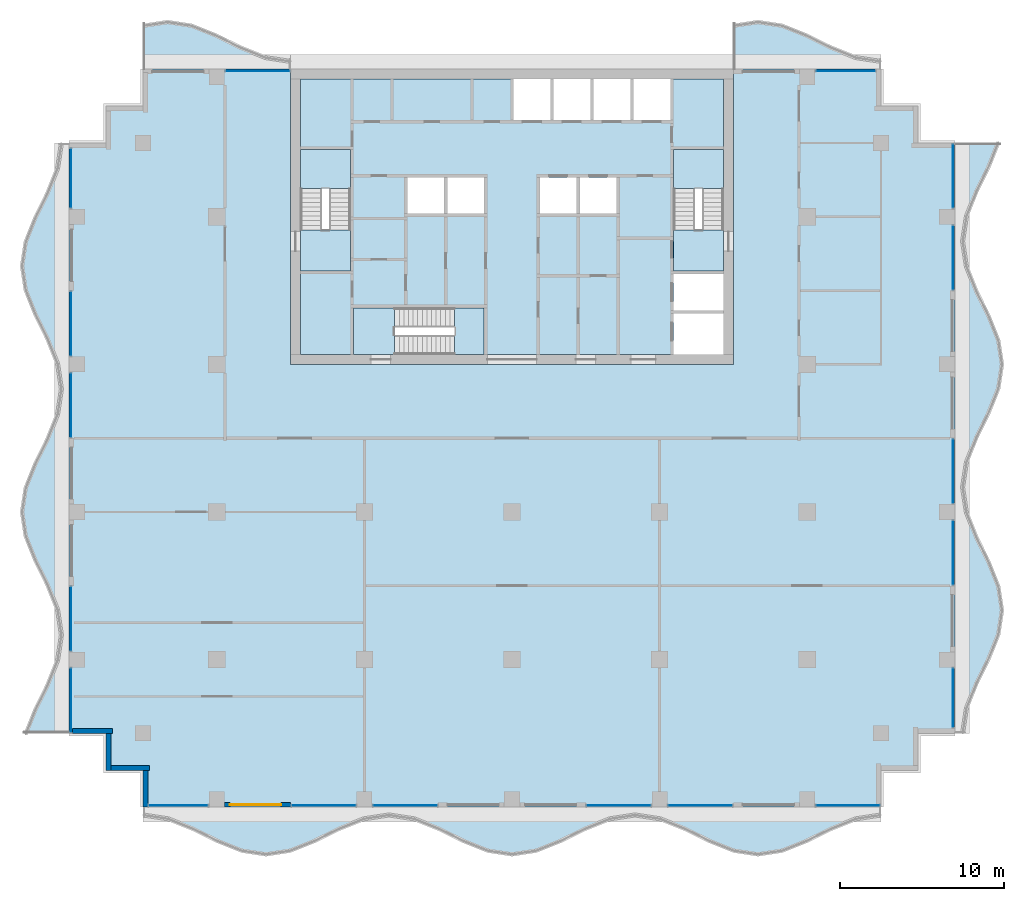
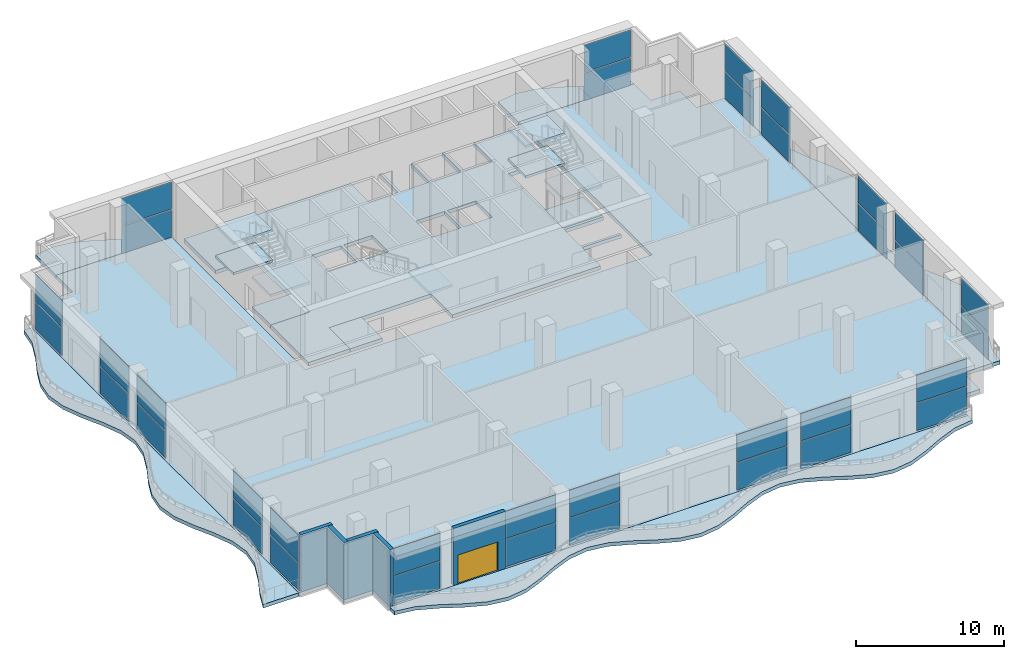
# One storey, part 6 of 15: 36 plates, 17 slabs, 5 walls, 1 door, 1 opening, 21 elements without a shape of their own.
"""IFC4 building model written with IfcOpenShell, lengths in metres."""

import ifcopenshell
import ifcopenshell.guid

model = None  # the IFC model being written
_history = None  # IfcOwnerHistory: only IFC2X3 demands one
_inside = {}  # id of a spatial element -> (the spatial element, [elements in it])
_under = {}  # id of a project, library or spatial element -> (it, [spatial elements below it])
_declared = {}  # id of a project -> (the project, [libraries it declares])
_typed = {}  # id of a type object -> (the type object, [elements of that type])
_made_of = {}  # id of a material, layer set ... -> (it, [elements and type objects made of it])


def new_model(schema):
    """Start an empty IFC model of exactly this schema.

    Asked for "IFC4X3", IfcOpenShell would pick the latest addendum, in which some entities
    have other attributes; the version numbers below select the first issue.
    IFC2X3 requires an IfcOwnerHistory on every rooted entity: one is made here for all.
    """
    global model, _history
    if schema == "IFC4X3":
        model = ifcopenshell.file(schema_version=(4, 3, 0, 0))
    else:
        model = ifcopenshell.file(schema=schema)
    _inside.clear()
    _under.clear()
    _declared.clear()
    _typed.clear()
    _made_of.clear()
    _history = None
    if model.schema == "IFC2X3":
        org = make("IfcOrganization", Name="unknown")
        user = make(
            "IfcPersonAndOrganization",
            ThePerson=make("IfcPerson", FamilyName="unknown"),
            TheOrganization=org,
        )
        app = make(
            "IfcApplication",
            ApplicationDeveloper=org,
            Version="unknown",
            ApplicationFullName="unknown",
            ApplicationIdentifier="unknown",
        )
        _history = make(
            "IfcOwnerHistory",
            OwningUser=user,
            OwningApplication=app,
            ChangeAction="ADDED",
            CreationDate=0,
        )
    return model


def make(cls, **values):
    """One entity of the class cls with the attributes given. An attribute that is None is left unset."""
    return model.create_entity(
        cls, **{name: value for name, value in values.items() if value is not None}
    )


def rooted(cls, **values):
    """An entity with a GlobalId (a new one), such as an element, a storey or a relation."""
    return make(cls, GlobalId=ifcopenshell.guid.new(), OwnerHistory=_history, **values)


def si_unit(unit_type, name, prefix=None):
    """IfcSIUnit, for example si_unit("LENGTHUNIT", "METRE", prefix="MILLI")."""
    return make("IfcSIUnit", UnitType=unit_type, Prefix=prefix, Name=name)


def assignment(units):
    """IfcUnitAssignment: the units of a project."""
    return None if units is None else make("IfcUnitAssignment", Units=units)


def point(xyz):
    """IfcCartesianPoint."""
    return None if xyz is None else make("IfcCartesianPoint", Coordinates=xyz)


def direction(xyz):
    """IfcDirection."""
    return None if xyz is None else make("IfcDirection", DirectionRatios=xyz)


def frame(location, z_axis=None, x_axis=None):
    """IfcAxis2Placement3D, a coordinate frame: its origin and axes. An axis left out is left unset."""
    return make(
        "IfcAxis2Placement3D",
        Location=point(location),
        Axis=direction(z_axis),
        RefDirection=direction(x_axis),
    )


def frame_2d(location, x_axis=None):
    """IfcAxis2Placement2D, a coordinate frame in the plane: its origin and x axis."""
    return make(
        "IfcAxis2Placement2D", Location=point(location), RefDirection=direction(x_axis)
    )


def origin():
    """The frame at (0, 0, 0) with its axes left unset."""
    return frame((0.0, 0.0, 0.0))


def origin_2d():
    """The frame at (0, 0) in the plane with its x axis left unset."""
    return frame_2d((0.0, 0.0))


def place(relative_to, where):
    """IfcLocalPlacement: puts the frame where relative to a parent placement (None: the world)."""
    return make(
        "IfcLocalPlacement", PlacementRelTo=relative_to, RelativePlacement=where
    )


def context(
    kind, dimensions, precision=None, world=None, true_north=None, identifier=None
):
    """IfcGeometricRepresentationContext, for example the 3D "Model" context."""
    return make(
        "IfcGeometricRepresentationContext",
        ContextIdentifier=identifier,
        ContextType=kind,
        CoordinateSpaceDimension=dimensions,
        Precision=precision,
        WorldCoordinateSystem=world,
        TrueNorth=true_north,
    )


def subcontext(parent, identifier, kind, view, scale=None):
    """IfcGeometricRepresentationSubContext, for example "Body" below "Model"."""
    return make(
        "IfcGeometricRepresentationSubContext",
        ContextIdentifier=identifier,
        ContextType=kind,
        ParentContext=parent,
        TargetScale=scale,
        TargetView=view,
    )


def project(units=None, contexts=None):
    """IfcProject with its units and contexts."""
    return rooted(
        "IfcProject",
        Name="project",
        RepresentationContexts=contexts,
        UnitsInContext=assignment(units),
    )


def spatial(cls, under=None, at=None, **own):
    """A site, building, storey or space (cls), placed at a placement, below another one or the project."""
    s = rooted(cls, ObjectPlacement=at, **own)
    if under is not None:
        _under.setdefault(under.id(), (under, []))[1].append(s)
    return s


def polyline(points):
    """IfcPolyline through the points."""
    return make("IfcPolyline", Points=[point(p) for p in points])


def profile(cls, at=None, kind="AREA", **sizes):
    """A parametric profile (cls). Its sizes go by their IFC names, for example OverallWidth=200.0."""
    return make(cls, ProfileType=kind, Position=at, **sizes)


def rectangle(**sizes):
    """IfcRectangleProfileDef."""
    return profile("IfcRectangleProfileDef", **sizes)


def outline(outer, holes=None, kind="AREA"):
    """IfcArbitraryClosedProfileDef: a profile drawn as a closed curve; with holes, ...WithVoids."""
    if holes is None:
        return make("IfcArbitraryClosedProfileDef", ProfileType=kind, OuterCurve=outer)
    return make(
        "IfcArbitraryProfileDefWithVoids",
        ProfileType=kind,
        OuterCurve=outer,
        InnerCurves=holes,
    )


def extrude(swept, where, along, depth):
    """IfcExtrudedAreaSolid: the profile swept, set in the frame where, extruded along a direction by depth."""
    return make(
        "IfcExtrudedAreaSolid",
        SweptArea=swept,
        Position=where,
        ExtrudedDirection=direction(along),
        Depth=depth,
    )


def shape(context_of_items, identifier, shape_type, items):
    """IfcShapeRepresentation: the items that make up one representation, for example the "Body"."""
    return make(
        "IfcShapeRepresentation",
        ContextOfItems=context_of_items,
        RepresentationIdentifier=identifier,
        RepresentationType=shape_type,
        Items=items,
    )


def material(Name=None, Category=None):
    """IfcMaterial."""
    return make("IfcMaterial", Name=Name, Category=Category)


def layer(
    of_material, thickness, ventilated=None, Name=None, Category=None, Priority=None
):
    """IfcMaterialLayer: one layer of a wall or slab, of a material (None: an air gap)."""
    return make(
        "IfcMaterialLayer",
        Material=of_material,
        LayerThickness=thickness,
        IsVentilated=ventilated,
        Name=Name,
        Category=Category,
        Priority=Priority,
    )


def layer_set(layers, Name=None):
    """IfcMaterialLayerSet."""
    return make("IfcMaterialLayerSet", MaterialLayers=layers, LayerSetName=Name)


def made_of(thing, what):
    """Note that an element or type object is made of a material, layer set ...; save() writes the relation."""
    if what is not None:
        _made_of.setdefault(what.id(), (what, []))[1].append(thing)
    return thing


def type_object(cls, material=None, **own):
    """A type object (cls), such as IfcWallType, which elements share."""
    return made_of(rooted(cls, **own), material)


def element(
    cls,
    number,
    at=None,
    inside=None,
    cuts=None,
    type_object=None,
    material=None,
    context=None,
    identifier="Body",
    shape_type=None,
    held_by="IfcProductDefinitionShape",
    body=None,
    shapes=None,
    **own,
):
    """One element of the class cls, such as IfcWall. Its Tag is "e" and its number.

    at: its placement. inside: the storey or other place that contains it. cuts: it is an
    opening in that element (IfcRelVoidsElement). A single representation is given by context,
    identifier, shape_type and body (its items); several are given by shapes. held_by: the class
    of the entity that holds the representations. save() writes the other relations.
    """
    e = rooted(cls, Tag="e%d" % number, ObjectPlacement=at, **own)
    if body is not None:
        shapes = [shape(context, identifier, shape_type, body)]
    if shapes is not None:
        e.Representation = make(held_by, Representations=shapes)
    if inside is not None:
        _inside.setdefault(inside.id(), (inside, []))[1].append(e)
    if cuts is not None:
        rooted(
            "IfcRelVoidsElement", RelatingBuildingElement=cuts, RelatedOpeningElement=e
        )
    if type_object is not None:
        _typed.setdefault(type_object.id(), (type_object, []))[1].append(e)
    return made_of(e, material)


def fill(opening, filler):
    """IfcRelFillsElement: the door or window that sits in an opening."""
    return rooted(
        "IfcRelFillsElement",
        RelatingOpeningElement=opening,
        RelatedBuildingElement=filler,
    )


def aggregate(whole, parts):
    """IfcRelAggregates: a whole, such as a stair, and the parts it consists of."""
    return rooted("IfcRelAggregates", RelatingObject=whole, RelatedObjects=parts)


def save(model, path):
    """Write the relations noted so far, then the file.

    IfcRelAggregates (storeys below a building ...), IfcRelContainedInSpatialStructure (elements
    in a storey), IfcRelDefinesByType, IfcRelAssociatesMaterial and IfcRelDeclares: one each for
    every whole, place, type object, material and project.
    """
    for whole, parts in _under.values():
        aggregate(whole, parts)
    for where, things in _inside.values():
        rooted(
            "IfcRelContainedInSpatialStructure",
            RelatedElements=things,
            RelatingStructure=where,
        )
    for kind, things in _typed.values():
        rooted("IfcRelDefinesByType", RelatedObjects=things, RelatingType=kind)
    for what, things in _made_of.values():
        rooted("IfcRelAssociatesMaterial", RelatedObjects=things, RelatingMaterial=what)
    for by, libraries in _declared.values():
        rooted("IfcRelDeclares", RelatingContext=by, RelatedDefinitions=libraries)
    model.write(path)


model = new_model("IFC4")

# Units and contexts
model_context = context("Model", 3, precision=1e-05, world=origin(), true_north=direction((0.0, 1.0)))
body_context = subcontext(model_context, "Body", "Model", "MODEL_VIEW")
ifc_project = project(units=[si_unit("LENGTHUNIT", "METRE"), si_unit("AREAUNIT", "SQUARE_METRE"), si_unit("VOLUMEUNIT", "CUBIC_METRE"), si_unit("PLANEANGLEUNIT", "RADIAN"), si_unit("MASSUNIT", "GRAM", prefix="KILO")], contexts=[model_context])

# Site, building, storey
site_placement = place(None, origin())
site = spatial("IfcSite", under=ifc_project, at=site_placement, CompositionType="ELEMENT")
building_placement = place(site_placement, origin())
building = spatial("IfcBuilding", under=site, at=building_placement, Name="Orbiselva Terraces", CompositionType="ELEMENT")
storey_placement = place(building_placement, frame((0.0, 0.0, 233.8)))
storey = spatial("IfcBuildingStorey", under=building, at=storey_placement, Name="L59", CompositionType="ELEMENT", Elevation=233.8)

# Slabs
ifc_material_1 = material(Name="Concrete C40/50", Category="concrete")
ifc_layer_1 = layer(ifc_material_1, 0.3)
ifc_layer_set_1 = layer_set([ifc_layer_1], Name="Concrete C40/50")
slab_type_1 = type_object("IfcSlabType", Name="CORE-SLAB-FLOOR-300", PredefinedType="FLOOR", material=ifc_layer_set_1)
slab_1_placement = place(storey_placement, frame((0.0, 0.0, -0.3)))
element("IfcSlab", 1, at=slab_1_placement, inside=storey, type_object=slab_type_1, Name="L59 S1 floor landing", PredefinedType="FLOOR", context=body_context, shape_type="SweptSolid", body=[
    extrude(outline(polyline([(-12.9, 12.7), (-9.85, 12.7), (-9.85, 10.2), (-12.9, 10.2), (-12.9, 12.7)])), origin(), (0.0, 0.0, 1.0), 0.3),
])
slab_2_placement = place(storey_placement, frame((0.0, 0.0, -0.3)))
element("IfcSlab", 2, at=slab_2_placement, inside=storey, type_object=slab_type_1, Name="L59 S2 floor landing", PredefinedType="FLOOR", context=body_context, shape_type="SweptSolid", body=[
    extrude(outline(polyline([(12.9, 12.7), (12.9, 10.2), (9.85, 10.2), (9.85, 12.7), (12.9, 12.7)])), origin(), (0.0, 0.0, 1.0), 0.3),
])
slab_3_placement = place(storey_placement, frame((0.0, 0.0, -0.3)))
element("IfcSlab", 3, at=slab_3_placement, inside=storey, type_object=slab_type_1, Name="L59 S3 floor landing", PredefinedType="FLOOR", context=body_context, shape_type="SweptSolid", body=[
    extrude(outline(polyline([(-7.15, 5.1), (-9.65, 5.1), (-9.65, 7.95), (-7.15, 7.95), (-7.15, 5.1)])), origin(), (0.0, 0.0, 1.0), 0.3),
])
slab_4_placement = place(storey_placement, frame((0.0, 0.0, -0.3)))
element("IfcSlab", 4, at=slab_4_placement, inside=storey, type_object=slab_type_1, Name="L59 core floor slab 1", PredefinedType="FLOOR", context=body_context, shape_type="SweptSolid", body=[
    extrude(outline(polyline([(-1.7, 5.1), (-1.7, 7.95), (-9.65, 7.95), (-9.65, 5.1), (-12.9, 5.1), (-12.9, 10.2), (-9.85, 10.2), (-9.85, 17.6), (-12.9, 17.6), (-12.9, 21.9), (0.1, 21.9), (0.1, 19.4), (2.3375, 19.4), (2.3375, 21.9), (2.5375, 21.9), (2.5375, 19.4), (4.775, 19.4), (4.775, 21.9), (4.975, 21.9), (4.975, 19.4), (7.2125, 19.4), (7.2125, 21.9), (7.4125, 21.9), (7.4125, 19.4), (9.65, 19.4), (9.65, 21.9), (12.9, 21.9), (12.9, 17.6), (9.85, 17.6), (9.85, 10.2), (12.9, 10.2), (12.9, 10.0), (9.85, 10.0), (9.85, 7.8), (12.9, 7.8), (12.9, 7.6), (9.85, 7.6), (9.85, 5.1), (-1.7, 5.1)]), holes=[polyline([(-4.1375, 13.7), (-4.1375, 15.9), (-6.375, 15.9), (-6.375, 13.7), (-4.1375, 13.7)]), polyline([(-1.7, 13.7), (-1.7, 15.9), (-3.9375, 15.9), (-3.9375, 13.7), (-1.7, 13.7)]), polyline([(3.9375, 15.9), (1.7, 15.9), (1.7, 13.7), (3.9375, 13.7), (3.9375, 15.9)]), polyline([(6.375, 13.7), (6.375, 15.9), (4.1375, 15.9), (4.1375, 13.7), (6.375, 13.7)])]), origin(), (0.0, 0.0, 1.0), 0.3),
])

# Stair, slabs
stair_type_1 = type_object("IfcStairType", Name="CORE-STAIR-1300", PredefinedType="HALF_TURN_STAIR", material=ifc_material_1)
stair_1_placement = place(storey_placement, origin())
stair_1 = element("IfcStair", 5, at=stair_1_placement, inside=storey, type_object=stair_type_1, Name="L59 Exit Stair S1", PredefinedType="HALF_TURN_STAIR")
ifc_layer_2 = layer(ifc_material_1, 0.2)
ifc_layer_set_2 = layer_set([ifc_layer_2], Name="Concrete C40/50")
slab_type_2 = type_object("IfcSlabType", Name="CORE-STAIR-LANDING-200", PredefinedType="LANDING", material=ifc_layer_set_2)
slab_5_placement = place(storey_placement, frame((0.0, 0.0, 1.05)))
slab_5 = element("IfcSlab", 6, at=slab_5_placement, type_object=slab_type_2, Name="S1 landing 1", PredefinedType="LANDING", context=body_context, shape_type="SweptSolid", body=[
    extrude(outline(polyline([(-9.85, 15.22), (-9.85, 17.6), (-12.9, 17.6), (-12.9, 15.22), (-9.85, 15.22)])), origin(), (0.0, 0.0, 1.0), 0.2),
])
slab_6_placement = place(storey_placement, frame((0.0, 0.0, 2.3)))
slab_6 = element("IfcSlab", 7, at=slab_6_placement, type_object=slab_type_2, Name="S1 landing 2", PredefinedType="LANDING", context=body_context, shape_type="SweptSolid", body=[
    extrude(outline(polyline([(-9.85, 10.2), (-9.85, 12.7), (-12.9, 12.7), (-12.9, 10.2), (-9.85, 10.2)])), origin(), (0.0, 0.0, 1.0), 0.2),
])
slab_7_placement = place(storey_placement, frame((0.0, 0.0, 3.55)))
slab_7 = element("IfcSlab", 8, at=slab_7_placement, type_object=slab_type_2, Name="S1 landing 3", PredefinedType="LANDING", context=body_context, shape_type="SweptSolid", body=[
    extrude(outline(polyline([(-9.85, 15.22), (-9.85, 17.6), (-12.9, 17.6), (-12.9, 15.22), (-9.85, 15.22)])), origin(), (0.0, 0.0, 1.0), 0.2),
])
aggregate(stair_1, [slab_5, slab_6, slab_7])

stair_2_placement = place(storey_placement, origin())
stair_2 = element("IfcStair", 9, at=stair_2_placement, inside=storey, type_object=stair_type_1, Name="L59 Exit Stair S2", PredefinedType="HALF_TURN_STAIR")
slab_8_placement = place(storey_placement, frame((0.0, 0.0, 1.05)))
slab_8 = element("IfcSlab", 10, at=slab_8_placement, type_object=slab_type_2, Name="S2 landing 1", PredefinedType="LANDING", context=body_context, shape_type="SweptSolid", body=[
    extrude(outline(polyline([(12.9, 15.22), (12.9, 17.6), (9.85, 17.6), (9.85, 15.22), (12.9, 15.22)])), origin(), (0.0, 0.0, 1.0), 0.2),
])
slab_9_placement = place(storey_placement, frame((0.0, 0.0, 2.3)))
slab_9 = element("IfcSlab", 11, at=slab_9_placement, type_object=slab_type_2, Name="S2 landing 2", PredefinedType="LANDING", context=body_context, shape_type="SweptSolid", body=[
    extrude(outline(polyline([(12.9, 10.2), (12.9, 12.7), (9.85, 12.7), (9.85, 10.2), (12.9, 10.2)])), origin(), (0.0, 0.0, 1.0), 0.2),
])
slab_10_placement = place(storey_placement, frame((0.0, 0.0, 3.55)))
slab_10 = element("IfcSlab", 12, at=slab_10_placement, type_object=slab_type_2, Name="S2 landing 3", PredefinedType="LANDING", context=body_context, shape_type="SweptSolid", body=[
    extrude(outline(polyline([(12.9, 15.22), (12.9, 17.6), (9.85, 17.6), (9.85, 15.22), (12.9, 15.22)])), origin(), (0.0, 0.0, 1.0), 0.2),
])
aggregate(stair_2, [slab_8, slab_9, slab_10])

# Stair, slab
stair_type_2 = type_object("IfcStairType", Name="CORE-STAIR-1200", PredefinedType="HALF_TURN_STAIR", material=ifc_material_1)
stair_3_placement = place(storey_placement, origin())
stair_3 = element("IfcStair", 13, at=stair_3_placement, inside=storey, type_object=stair_type_2, Name="L59 Exit Stair S3", PredefinedType="HALF_TURN_STAIR")
slab_11_placement = place(storey_placement, frame((0.0, 0.0, 2.3)))
slab_11 = element("IfcSlab", 14, at=slab_11_placement, type_object=slab_type_2, Name="S3 landing 1", PredefinedType="LANDING", context=body_context, shape_type="SweptSolid", body=[
    extrude(outline(polyline([(-3.51, 5.1), (-1.7, 5.1), (-1.7, 7.95), (-3.51, 7.95), (-3.51, 5.1)])), origin(), (0.0, 0.0, 1.0), 0.2),
])
aggregate(stair_3, [slab_11])

# Slabs
ifc_material_2 = material(Name="Concrete C50/60", Category="concrete")
ifc_layer_3 = layer(ifc_material_2, 0.3)
ifc_layer_set_3 = layer_set([ifc_layer_3], Name="Concrete C50/60")
slab_type_3 = type_object("IfcSlabType", Name="ENV-BALCONY-SLAB-300", PredefinedType="FLOOR", material=ifc_layer_set_3)
slab_12_placement = place(storey_placement, frame((0.0, 0.0, -0.3)))
element("IfcSlab", 15, at=slab_12_placement, inside=storey, type_object=slab_type_3, Name="Balcony slab L59 S", PredefinedType="FLOOR", context=body_context, shape_type="SweptSolid", body=[
    extrude(outline(polyline([(-22.5, -23.1), (-21.0, -23.32918), (-19.5, -23.92918), (-18.0, -24.67082), (-16.5, -25.27082), (-15.0, -25.5), (-13.5, -25.27082), (-12.0, -24.67082), (-10.5, -23.92918), (-9.0, -23.32918), (-7.5, -23.1), (-6.0, -23.32918), (-4.5, -23.92918), (-3.0, -24.67082), (-1.5, -25.27082), (0.0, -25.5), (1.5, -25.27082), (3.0, -24.67082), (4.5, -23.92918), (6.0, -23.32918), (7.5, -23.1), (9.0, -23.32918), (10.5, -23.92918), (12.0, -24.67082), (13.5, -25.27082), (15.0, -25.5), (16.5, -25.27082), (18.0, -24.67082), (19.5, -23.92918), (21.0, -23.32918), (22.5, -23.1), (22.5, -22.5), (-22.5, -22.5), (-22.5, -23.1)])), origin(), (0.0, 0.0, 1.0), 0.3),
])
slab_13_placement = place(storey_placement, frame((0.0, 0.0, -0.3)))
element("IfcSlab", 16, at=slab_13_placement, inside=storey, type_object=slab_type_3, Name="Balcony slab L59 E", PredefinedType="FLOOR", context=body_context, shape_type="SweptSolid", body=[
    extrude(outline(polyline([(27.6, -18.0), (27.82918, -16.5), (28.42918, -15.0), (29.17082, -13.5), (29.77082, -12.0), (30.0, -10.5), (29.77082, -9.0), (29.17082, -7.5), (28.42918, -6.0), (27.82918, -4.5), (27.6, -3.0), (27.82918, -1.5), (28.42918, 0.0), (29.17082, 1.5), (29.77082, 3.0), (30.0, 4.5), (29.77082, 6.0), (29.17082, 7.5), (28.42918, 9.0), (27.82918, 10.5), (27.6, 12.0), (27.82918, 13.5), (28.42918, 15.0), (29.17082, 16.5), (29.77082, 18.0), (27.0, 18.0), (27.0, -18.0), (27.6, -18.0)])), origin(), (0.0, 0.0, 1.0), 0.3),
])
slab_14_placement = place(storey_placement, frame((0.0, 0.0, -0.3)))
element("IfcSlab", 17, at=slab_14_placement, inside=storey, type_object=slab_type_3, Name="Balcony slab L59 NE", PredefinedType="FLOOR", context=body_context, shape_type="SweptSolid", body=[
    extrude(outline(polyline([(22.5, 23.1), (21.0, 23.32918), (19.5, 23.92918), (18.0, 24.67082), (16.5, 25.27082), (15.0, 25.5), (13.5, 25.27082), (13.5, 22.5), (22.5, 22.5), (22.5, 23.1)])), origin(), (0.0, 0.0, 1.0), 0.3),
])
slab_15_placement = place(storey_placement, frame((0.0, 0.0, -0.3)))
element("IfcSlab", 18, at=slab_15_placement, inside=storey, type_object=slab_type_3, Name="Balcony slab L59 NW", PredefinedType="FLOOR", context=body_context, shape_type="SweptSolid", body=[
    extrude(outline(polyline([(-13.5, 23.1), (-15.0, 23.32918), (-16.5, 23.92918), (-18.0, 24.67082), (-19.5, 25.27082), (-21.0, 25.5), (-22.5, 25.27082), (-22.5, 22.5), (-13.5, 22.5), (-13.5, 23.1)])), origin(), (0.0, 0.0, 1.0), 0.3),
])
slab_16_placement = place(storey_placement, frame((0.0, 0.0, -0.3)))
element("IfcSlab", 19, at=slab_16_placement, inside=storey, type_object=slab_type_3, Name="Balcony slab L59 W", PredefinedType="FLOOR", context=body_context, shape_type="SweptSolid", body=[
    extrude(outline(polyline([(-27.6, 18.0), (-27.82918, 16.5), (-28.42918, 15.0), (-29.17082, 13.5), (-29.77082, 12.0), (-30.0, 10.5), (-29.77082, 9.0), (-29.17082, 7.5), (-28.42918, 6.0), (-27.82918, 4.5), (-27.6, 3.0), (-27.82918, 1.5), (-28.42918, 0.0), (-29.17082, -1.5), (-29.77082, -3.0), (-30.0, -4.5), (-29.77082, -6.0), (-29.17082, -7.5), (-28.42918, -9.0), (-27.82918, -10.5), (-27.6, -12.0), (-27.82918, -13.5), (-28.42918, -15.0), (-29.17082, -16.5), (-29.77082, -18.0), (-27.0, -18.0), (-27.0, 18.0), (-27.6, 18.0)])), origin(), (0.0, 0.0, 1.0), 0.3),
])

# Curtain wall, plates
ifc_material_3 = material(Name="Clear low-e glazing in aluminium frame", Category="aluminium")
curtain_wall_type = type_object("IfcCurtainWallType", Name="ENV-CW-SKY", PredefinedType="NOTDEFINED", material=ifc_material_3)
curtain_wall_1_placement = place(storey_placement, origin())
curtain_wall_1 = element("IfcCurtainWall", 20, at=curtain_wall_1_placement, inside=storey, type_object=curtain_wall_type, Name="Curtain wall L59 S", PredefinedType="NOTDEFINED")
ifc_material_4 = material(Name="Clear low-e glass", Category="glass")
ifc_layer_4 = layer(ifc_material_4, 0.028)
ifc_layer_set_4 = layer_set([ifc_layer_4], Name="Clear low-e glass")
plate_type = type_object("IfcPlateType", Name="ENV-CW-SKY-PANEL-28", PredefinedType="CURTAIN_PANEL", material=ifc_layer_set_4)
plate_1_placement = place(storey_placement, frame((-20.3375, -22.4, 0.065), z_axis=(0.0, 0.0, 1.0), x_axis=(1.0, 0.0, 0.0)))
plate_1 = element("IfcPlate", 21, at=plate_1_placement, type_object=plate_type, Name="CW3 panel 1.1", PredefinedType="CURTAIN_PANEL", context=body_context, shape_type="SweptSolid", body=[
    extrude(rectangle(XDim=3.595, YDim=0.028, at=origin_2d()), origin(), (0.0, 0.0, 1.0), 2.2525),
])
plate_2_placement = place(storey_placement, frame((-20.3375, -22.4, 2.3825), z_axis=(0.0, 0.0, 1.0), x_axis=(1.0, 0.0, 0.0)))
plate_2 = element("IfcPlate", 22, at=plate_2_placement, type_object=plate_type, Name="CW3 panel 1.2", PredefinedType="CURTAIN_PANEL", context=body_context, shape_type="SweptSolid", body=[
    extrude(rectangle(XDim=3.595, YDim=0.028, at=origin_2d()), origin(), (0.0, 0.0, 1.0), 2.2525),
])
aggregate(curtain_wall_1, [plate_1, plate_2])

curtain_wall_2_placement = place(storey_placement, origin())
curtain_wall_2 = element("IfcCurtainWall", 23, at=curtain_wall_2_placement, inside=storey, type_object=curtain_wall_type, Name="Curtain wall L59 S", PredefinedType="NOTDEFINED")
plate_3_placement = place(storey_placement, frame((-11.4875, -22.4, 0.065), z_axis=(0.0, 0.0, 1.0), x_axis=(1.0, 0.0, 0.0)))
plate_3 = element("IfcPlate", 24, at=plate_3_placement, type_object=plate_type, Name="CW3 panel 1.1", PredefinedType="CURTAIN_PANEL", context=body_context, shape_type="SweptSolid", body=[
    extrude(rectangle(XDim=3.895, YDim=0.028, at=origin_2d()), origin(), (0.0, 0.0, 1.0), 2.2525),
])
plate_4_placement = place(storey_placement, frame((-11.4875, -22.4, 2.3825), z_axis=(0.0, 0.0, 1.0), x_axis=(1.0, 0.0, 0.0)))
plate_4 = element("IfcPlate", 25, at=plate_4_placement, type_object=plate_type, Name="CW3 panel 1.2", PredefinedType="CURTAIN_PANEL", context=body_context, shape_type="SweptSolid", body=[
    extrude(rectangle(XDim=3.895, YDim=0.028, at=origin_2d()), origin(), (0.0, 0.0, 1.0), 2.2525),
])
aggregate(curtain_wall_2, [plate_3, plate_4])

curtain_wall_3_placement = place(storey_placement, origin())
curtain_wall_3 = element("IfcCurtainWall", 26, at=curtain_wall_3_placement, inside=storey, type_object=curtain_wall_type, Name="Curtain wall L59 S", PredefinedType="NOTDEFINED")
plate_5_placement = place(storey_placement, frame((-6.5125, -22.4, 0.065), z_axis=(0.0, 0.0, 1.0), x_axis=(1.0, 0.0, 0.0)))
plate_5 = element("IfcPlate", 27, at=plate_5_placement, type_object=plate_type, Name="CW3 panel 1.1", PredefinedType="CURTAIN_PANEL", context=body_context, shape_type="SweptSolid", body=[
    extrude(rectangle(XDim=3.895, YDim=0.028, at=origin_2d()), origin(), (0.0, 0.0, 1.0), 2.2525),
])
plate_6_placement = place(storey_placement, frame((-6.5125, -22.4, 2.3825), z_axis=(0.0, 0.0, 1.0), x_axis=(1.0, 0.0, 0.0)))
plate_6 = element("IfcPlate", 28, at=plate_6_placement, type_object=plate_type, Name="CW3 panel 1.2", PredefinedType="CURTAIN_PANEL", context=body_context, shape_type="SweptSolid", body=[
    extrude(rectangle(XDim=3.895, YDim=0.028, at=origin_2d()), origin(), (0.0, 0.0, 1.0), 2.2525),
])
aggregate(curtain_wall_3, [plate_5, plate_6])

curtain_wall_4_placement = place(storey_placement, origin())
curtain_wall_4 = element("IfcCurtainWall", 29, at=curtain_wall_4_placement, inside=storey, type_object=curtain_wall_type, Name="Curtain wall L59 S", PredefinedType="NOTDEFINED")
plate_7_placement = place(storey_placement, frame((6.5125, -22.4, 0.065), z_axis=(0.0, 0.0, 1.0), x_axis=(1.0, 0.0, 0.0)))
plate_7 = element("IfcPlate", 30, at=plate_7_placement, type_object=plate_type, Name="CW3 panel 1.1", PredefinedType="CURTAIN_PANEL", context=body_context, shape_type="SweptSolid", body=[
    extrude(rectangle(XDim=3.895, YDim=0.028, at=origin_2d()), origin(), (0.0, 0.0, 1.0), 2.2525),
])
plate_8_placement = place(storey_placement, frame((6.5125, -22.4, 2.3825), z_axis=(0.0, 0.0, 1.0), x_axis=(1.0, 0.0, 0.0)))
plate_8 = element("IfcPlate", 31, at=plate_8_placement, type_object=plate_type, Name="CW3 panel 1.2", PredefinedType="CURTAIN_PANEL", context=body_context, shape_type="SweptSolid", body=[
    extrude(rectangle(XDim=3.895, YDim=0.028, at=origin_2d()), origin(), (0.0, 0.0, 1.0), 2.2525),
])
aggregate(curtain_wall_4, [plate_7, plate_8])

curtain_wall_5_placement = place(storey_placement, origin())
curtain_wall_5 = element("IfcCurtainWall", 32, at=curtain_wall_5_placement, inside=storey, type_object=curtain_wall_type, Name="Curtain wall L59 S", PredefinedType="NOTDEFINED")
plate_9_placement = place(storey_placement, frame((11.4875, -22.4, 0.065), z_axis=(0.0, 0.0, 1.0), x_axis=(1.0, 0.0, 0.0)))
plate_9 = element("IfcPlate", 33, at=plate_9_placement, type_object=plate_type, Name="CW3 panel 1.1", PredefinedType="CURTAIN_PANEL", context=body_context, shape_type="SweptSolid", body=[
    extrude(rectangle(XDim=3.895, YDim=0.028, at=origin_2d()), origin(), (0.0, 0.0, 1.0), 2.2525),
])
plate_10_placement = place(storey_placement, frame((11.4875, -22.4, 2.3825), z_axis=(0.0, 0.0, 1.0), x_axis=(1.0, 0.0, 0.0)))
plate_10 = element("IfcPlate", 34, at=plate_10_placement, type_object=plate_type, Name="CW3 panel 1.2", PredefinedType="CURTAIN_PANEL", context=body_context, shape_type="SweptSolid", body=[
    extrude(rectangle(XDim=3.895, YDim=0.028, at=origin_2d()), origin(), (0.0, 0.0, 1.0), 2.2525),
])
aggregate(curtain_wall_5, [plate_9, plate_10])

curtain_wall_6_placement = place(storey_placement, origin())
curtain_wall_6 = element("IfcCurtainWall", 35, at=curtain_wall_6_placement, inside=storey, type_object=curtain_wall_type, Name="Curtain wall L59 S", PredefinedType="NOTDEFINED")
plate_11_placement = place(storey_placement, frame((20.4875, -22.4, 0.065), z_axis=(0.0, 0.0, 1.0), x_axis=(1.0, 0.0, 0.0)))
plate_11 = element("IfcPlate", 36, at=plate_11_placement, type_object=plate_type, Name="CW3 panel 1.1", PredefinedType="CURTAIN_PANEL", context=body_context, shape_type="SweptSolid", body=[
    extrude(rectangle(XDim=3.895, YDim=0.028, at=origin_2d()), origin(), (0.0, 0.0, 1.0), 2.2525),
])
plate_12_placement = place(storey_placement, frame((20.4875, -22.4, 2.3825), z_axis=(0.0, 0.0, 1.0), x_axis=(1.0, 0.0, 0.0)))
plate_12 = element("IfcPlate", 37, at=plate_12_placement, type_object=plate_type, Name="CW3 panel 1.2", PredefinedType="CURTAIN_PANEL", context=body_context, shape_type="SweptSolid", body=[
    extrude(rectangle(XDim=3.895, YDim=0.028, at=origin_2d()), origin(), (0.0, 0.0, 1.0), 2.2525),
])
aggregate(curtain_wall_6, [plate_11, plate_12])

curtain_wall_7_placement = place(storey_placement, origin())
curtain_wall_7 = element("IfcCurtainWall", 38, at=curtain_wall_7_placement, inside=storey, type_object=curtain_wall_type, Name="Curtain wall L59 E", PredefinedType="NOTDEFINED")
plate_13_placement = place(storey_placement, frame((26.9, -15.8375, 0.065), z_axis=(0.0, 0.0, 1.0), x_axis=(0.0, 1.0, 0.0)))
plate_13 = element("IfcPlate", 39, at=plate_13_placement, type_object=plate_type, Name="CW3 panel 1.1", PredefinedType="CURTAIN_PANEL", context=body_context, shape_type="SweptSolid", body=[
    extrude(rectangle(XDim=3.595, YDim=0.028, at=origin_2d()), origin(), (0.0, 0.0, 1.0), 2.2525),
])
plate_14_placement = place(storey_placement, frame((26.9, -15.8375, 2.3825), z_axis=(0.0, 0.0, 1.0), x_axis=(0.0, 1.0, 0.0)))
plate_14 = element("IfcPlate", 40, at=plate_14_placement, type_object=plate_type, Name="CW3 panel 1.2", PredefinedType="CURTAIN_PANEL", context=body_context, shape_type="SweptSolid", body=[
    extrude(rectangle(XDim=3.595, YDim=0.028, at=origin_2d()), origin(), (0.0, 0.0, 1.0), 2.2525),
])
aggregate(curtain_wall_7, [plate_13, plate_14])

curtain_wall_8_placement = place(storey_placement, origin())
curtain_wall_8 = element("IfcCurtainWall", 41, at=curtain_wall_8_placement, inside=storey, type_object=curtain_wall_type, Name="Curtain wall L59 E", PredefinedType="NOTDEFINED")
plate_15_placement = place(storey_placement, frame((26.9, -6.9875, 0.065), z_axis=(0.0, 0.0, 1.0), x_axis=(0.0, 1.0, 0.0)))
plate_15 = element("IfcPlate", 42, at=plate_15_placement, type_object=plate_type, Name="CW3 panel 1.1", PredefinedType="CURTAIN_PANEL", context=body_context, shape_type="SweptSolid", body=[
    extrude(rectangle(XDim=3.895, YDim=0.028, at=origin_2d()), origin(), (0.0, 0.0, 1.0), 2.2525),
])
plate_16_placement = place(storey_placement, frame((26.9, -6.9875, 2.3825), z_axis=(0.0, 0.0, 1.0), x_axis=(0.0, 1.0, 0.0)))
plate_16 = element("IfcPlate", 43, at=plate_16_placement, type_object=plate_type, Name="CW3 panel 1.2", PredefinedType="CURTAIN_PANEL", context=body_context, shape_type="SweptSolid", body=[
    extrude(rectangle(XDim=3.895, YDim=0.028, at=origin_2d()), origin(), (0.0, 0.0, 1.0), 2.2525),
])
aggregate(curtain_wall_8, [plate_15, plate_16])

curtain_wall_9_placement = place(storey_placement, origin())
curtain_wall_9 = element("IfcCurtainWall", 44, at=curtain_wall_9_placement, inside=storey, type_object=curtain_wall_type, Name="Curtain wall L59 E", PredefinedType="NOTDEFINED")
plate_17_placement = place(storey_placement, frame((26.9, -2.0125, 0.065), z_axis=(0.0, 0.0, 1.0), x_axis=(0.0, 1.0, 0.0)))
plate_17 = element("IfcPlate", 45, at=plate_17_placement, type_object=plate_type, Name="CW3 panel 1.1", PredefinedType="CURTAIN_PANEL", context=body_context, shape_type="SweptSolid", body=[
    extrude(rectangle(XDim=3.895, YDim=0.028, at=origin_2d()), origin(), (0.0, 0.0, 1.0), 2.2525),
])
plate_18_placement = place(storey_placement, frame((26.9, -2.0125, 2.3825), z_axis=(0.0, 0.0, 1.0), x_axis=(0.0, 1.0, 0.0)))
plate_18 = element("IfcPlate", 46, at=plate_18_placement, type_object=plate_type, Name="CW3 panel 1.2", PredefinedType="CURTAIN_PANEL", context=body_context, shape_type="SweptSolid", body=[
    extrude(rectangle(XDim=3.895, YDim=0.028, at=origin_2d()), origin(), (0.0, 0.0, 1.0), 2.2525),
])
aggregate(curtain_wall_9, [plate_17, plate_18])

curtain_wall_10_placement = place(storey_placement, origin())
curtain_wall_10 = element("IfcCurtainWall", 47, at=curtain_wall_10_placement, inside=storey, type_object=curtain_wall_type, Name="Curtain wall L59 E", PredefinedType="NOTDEFINED")
plate_19_placement = place(storey_placement, frame((26.9, 11.0125, 0.065), z_axis=(0.0, 0.0, 1.0), x_axis=(0.0, 1.0, 0.0)))
plate_19 = element("IfcPlate", 48, at=plate_19_placement, type_object=plate_type, Name="CW3 panel 1.1", PredefinedType="CURTAIN_PANEL", context=body_context, shape_type="SweptSolid", body=[
    extrude(rectangle(XDim=3.895, YDim=0.028, at=origin_2d()), origin(), (0.0, 0.0, 1.0), 2.2525),
])
plate_20_placement = place(storey_placement, frame((26.9, 11.0125, 2.3825), z_axis=(0.0, 0.0, 1.0), x_axis=(0.0, 1.0, 0.0)))
plate_20 = element("IfcPlate", 49, at=plate_20_placement, type_object=plate_type, Name="CW3 panel 1.2", PredefinedType="CURTAIN_PANEL", context=body_context, shape_type="SweptSolid", body=[
    extrude(rectangle(XDim=3.895, YDim=0.028, at=origin_2d()), origin(), (0.0, 0.0, 1.0), 2.2525),
])
aggregate(curtain_wall_10, [plate_19, plate_20])

curtain_wall_11_placement = place(storey_placement, origin())
curtain_wall_11 = element("IfcCurtainWall", 50, at=curtain_wall_11_placement, inside=storey, type_object=curtain_wall_type, Name="Curtain wall L59 E", PredefinedType="NOTDEFINED")
plate_21_placement = place(storey_placement, frame((26.9, 15.9875, 0.065), z_axis=(0.0, 0.0, 1.0), x_axis=(0.0, 1.0, 0.0)))
plate_21 = element("IfcPlate", 51, at=plate_21_placement, type_object=plate_type, Name="CW3 panel 1.1", PredefinedType="CURTAIN_PANEL", context=body_context, shape_type="SweptSolid", body=[
    extrude(rectangle(XDim=3.895, YDim=0.028, at=origin_2d()), origin(), (0.0, 0.0, 1.0), 2.2525),
])
plate_22_placement = place(storey_placement, frame((26.9, 15.9875, 2.3825), z_axis=(0.0, 0.0, 1.0), x_axis=(0.0, 1.0, 0.0)))
plate_22 = element("IfcPlate", 52, at=plate_22_placement, type_object=plate_type, Name="CW3 panel 1.2", PredefinedType="CURTAIN_PANEL", context=body_context, shape_type="SweptSolid", body=[
    extrude(rectangle(XDim=3.895, YDim=0.028, at=origin_2d()), origin(), (0.0, 0.0, 1.0), 2.2525),
])
aggregate(curtain_wall_11, [plate_21, plate_22])

curtain_wall_12_placement = place(storey_placement, origin())
curtain_wall_12 = element("IfcCurtainWall", 53, at=curtain_wall_12_placement, inside=storey, type_object=curtain_wall_type, Name="Curtain wall L59 NE", PredefinedType="NOTDEFINED")
plate_23_placement = place(storey_placement, frame((20.3375, 22.4, 0.065), z_axis=(0.0, 0.0, 1.0), x_axis=(-1.0, 0.0, 0.0)))
plate_23 = element("IfcPlate", 54, at=plate_23_placement, type_object=plate_type, Name="CW3 panel 1.1", PredefinedType="CURTAIN_PANEL", context=body_context, shape_type="SweptSolid", body=[
    extrude(rectangle(XDim=3.595, YDim=0.028, at=origin_2d()), origin(), (0.0, 0.0, 1.0), 2.2525),
])
plate_24_placement = place(storey_placement, frame((20.3375, 22.4, 2.3825), z_axis=(0.0, 0.0, 1.0), x_axis=(-1.0, 0.0, 0.0)))
plate_24 = element("IfcPlate", 55, at=plate_24_placement, type_object=plate_type, Name="CW3 panel 1.2", PredefinedType="CURTAIN_PANEL", context=body_context, shape_type="SweptSolid", body=[
    extrude(rectangle(XDim=3.595, YDim=0.028, at=origin_2d()), origin(), (0.0, 0.0, 1.0), 2.2525),
])
aggregate(curtain_wall_12, [plate_23, plate_24])

curtain_wall_13_placement = place(storey_placement, origin())
curtain_wall_13 = element("IfcCurtainWall", 56, at=curtain_wall_13_placement, inside=storey, type_object=curtain_wall_type, Name="Curtain wall L59 NW", PredefinedType="NOTDEFINED")
plate_25_placement = place(storey_placement, frame((-15.5125, 22.4, 0.065), z_axis=(0.0, 0.0, 1.0), x_axis=(-1.0, 0.0, 0.0)))
plate_25 = element("IfcPlate", 57, at=plate_25_placement, type_object=plate_type, Name="CW3 panel 1.1", PredefinedType="CURTAIN_PANEL", context=body_context, shape_type="SweptSolid", body=[
    extrude(rectangle(XDim=3.895, YDim=0.028, at=origin_2d()), origin(), (0.0, 0.0, 1.0), 2.2525),
])
plate_26_placement = place(storey_placement, frame((-15.5125, 22.4, 2.3825), z_axis=(0.0, 0.0, 1.0), x_axis=(-1.0, 0.0, 0.0)))
plate_26 = element("IfcPlate", 58, at=plate_26_placement, type_object=plate_type, Name="CW3 panel 1.2", PredefinedType="CURTAIN_PANEL", context=body_context, shape_type="SweptSolid", body=[
    extrude(rectangle(XDim=3.895, YDim=0.028, at=origin_2d()), origin(), (0.0, 0.0, 1.0), 2.2525),
])
aggregate(curtain_wall_13, [plate_25, plate_26])

curtain_wall_14_placement = place(storey_placement, origin())
curtain_wall_14 = element("IfcCurtainWall", 59, at=curtain_wall_14_placement, inside=storey, type_object=curtain_wall_type, Name="Curtain wall L59 W", PredefinedType="NOTDEFINED")
plate_27_placement = place(storey_placement, frame((-26.9, 15.8375, 0.065), z_axis=(0.0, 0.0, 1.0), x_axis=(0.0, -1.0, 0.0)))
plate_27 = element("IfcPlate", 60, at=plate_27_placement, type_object=plate_type, Name="CW3 panel 1.1", PredefinedType="CURTAIN_PANEL", context=body_context, shape_type="SweptSolid", body=[
    extrude(rectangle(XDim=3.595, YDim=0.028, at=origin_2d()), origin(), (0.0, 0.0, 1.0), 2.2525),
])
plate_28_placement = place(storey_placement, frame((-26.9, 15.8375, 2.3825), z_axis=(0.0, 0.0, 1.0), x_axis=(0.0, -1.0, 0.0)))
plate_28 = element("IfcPlate", 61, at=plate_28_placement, type_object=plate_type, Name="CW3 panel 1.2", PredefinedType="CURTAIN_PANEL", context=body_context, shape_type="SweptSolid", body=[
    extrude(rectangle(XDim=3.595, YDim=0.028, at=origin_2d()), origin(), (0.0, 0.0, 1.0), 2.2525),
])
aggregate(curtain_wall_14, [plate_27, plate_28])

curtain_wall_15_placement = place(storey_placement, origin())
curtain_wall_15 = element("IfcCurtainWall", 62, at=curtain_wall_15_placement, inside=storey, type_object=curtain_wall_type, Name="Curtain wall L59 W", PredefinedType="NOTDEFINED")
plate_29_placement = place(storey_placement, frame((-26.9, 6.9875, 0.065), z_axis=(0.0, 0.0, 1.0), x_axis=(0.0, -1.0, 0.0)))
plate_29 = element("IfcPlate", 63, at=plate_29_placement, type_object=plate_type, Name="CW3 panel 1.1", PredefinedType="CURTAIN_PANEL", context=body_context, shape_type="SweptSolid", body=[
    extrude(rectangle(XDim=3.895, YDim=0.028, at=origin_2d()), origin(), (0.0, 0.0, 1.0), 2.2525),
])
plate_30_placement = place(storey_placement, frame((-26.9, 6.9875, 2.3825), z_axis=(0.0, 0.0, 1.0), x_axis=(0.0, -1.0, 0.0)))
plate_30 = element("IfcPlate", 64, at=plate_30_placement, type_object=plate_type, Name="CW3 panel 1.2", PredefinedType="CURTAIN_PANEL", context=body_context, shape_type="SweptSolid", body=[
    extrude(rectangle(XDim=3.895, YDim=0.028, at=origin_2d()), origin(), (0.0, 0.0, 1.0), 2.2525),
])
aggregate(curtain_wall_15, [plate_29, plate_30])

curtain_wall_16_placement = place(storey_placement, origin())
curtain_wall_16 = element("IfcCurtainWall", 65, at=curtain_wall_16_placement, inside=storey, type_object=curtain_wall_type, Name="Curtain wall L59 W", PredefinedType="NOTDEFINED")
plate_31_placement = place(storey_placement, frame((-26.9, 2.0125, 0.065), z_axis=(0.0, 0.0, 1.0), x_axis=(0.0, -1.0, 0.0)))
plate_31 = element("IfcPlate", 66, at=plate_31_placement, type_object=plate_type, Name="CW3 panel 1.1", PredefinedType="CURTAIN_PANEL", context=body_context, shape_type="SweptSolid", body=[
    extrude(rectangle(XDim=3.895, YDim=0.028, at=origin_2d()), origin(), (0.0, 0.0, 1.0), 2.2525),
])
plate_32_placement = place(storey_placement, frame((-26.9, 2.0125, 2.3825), z_axis=(0.0, 0.0, 1.0), x_axis=(0.0, -1.0, 0.0)))
plate_32 = element("IfcPlate", 67, at=plate_32_placement, type_object=plate_type, Name="CW3 panel 1.2", PredefinedType="CURTAIN_PANEL", context=body_context, shape_type="SweptSolid", body=[
    extrude(rectangle(XDim=3.895, YDim=0.028, at=origin_2d()), origin(), (0.0, 0.0, 1.0), 2.2525),
])
aggregate(curtain_wall_16, [plate_31, plate_32])

curtain_wall_17_placement = place(storey_placement, origin())
curtain_wall_17 = element("IfcCurtainWall", 68, at=curtain_wall_17_placement, inside=storey, type_object=curtain_wall_type, Name="Curtain wall L59 W", PredefinedType="NOTDEFINED")
plate_33_placement = place(storey_placement, frame((-26.9, -11.0125, 0.065), z_axis=(0.0, 0.0, 1.0), x_axis=(0.0, -1.0, 0.0)))
plate_33 = element("IfcPlate", 69, at=plate_33_placement, type_object=plate_type, Name="CW3 panel 1.1", PredefinedType="CURTAIN_PANEL", context=body_context, shape_type="SweptSolid", body=[
    extrude(rectangle(XDim=3.895, YDim=0.028, at=origin_2d()), origin(), (0.0, 0.0, 1.0), 2.2525),
])
plate_34_placement = place(storey_placement, frame((-26.9, -11.0125, 2.3825), z_axis=(0.0, 0.0, 1.0), x_axis=(0.0, -1.0, 0.0)))
plate_34 = element("IfcPlate", 70, at=plate_34_placement, type_object=plate_type, Name="CW3 panel 1.2", PredefinedType="CURTAIN_PANEL", context=body_context, shape_type="SweptSolid", body=[
    extrude(rectangle(XDim=3.895, YDim=0.028, at=origin_2d()), origin(), (0.0, 0.0, 1.0), 2.2525),
])
aggregate(curtain_wall_17, [plate_33, plate_34])

curtain_wall_18_placement = place(storey_placement, origin())
curtain_wall_18 = element("IfcCurtainWall", 71, at=curtain_wall_18_placement, inside=storey, type_object=curtain_wall_type, Name="Curtain wall L59 W", PredefinedType="NOTDEFINED")
plate_35_placement = place(storey_placement, frame((-26.9, -15.9875, 0.065), z_axis=(0.0, 0.0, 1.0), x_axis=(0.0, -1.0, 0.0)))
plate_35 = element("IfcPlate", 72, at=plate_35_placement, type_object=plate_type, Name="CW3 panel 1.1", PredefinedType="CURTAIN_PANEL", context=body_context, shape_type="SweptSolid", body=[
    extrude(rectangle(XDim=3.895, YDim=0.028, at=origin_2d()), origin(), (0.0, 0.0, 1.0), 2.2525),
])
plate_36_placement = place(storey_placement, frame((-26.9, -15.9875, 2.3825), z_axis=(0.0, 0.0, 1.0), x_axis=(0.0, -1.0, 0.0)))
plate_36 = element("IfcPlate", 73, at=plate_36_placement, type_object=plate_type, Name="CW3 panel 1.2", PredefinedType="CURTAIN_PANEL", context=body_context, shape_type="SweptSolid", body=[
    extrude(rectangle(XDim=3.895, YDim=0.028, at=origin_2d()), origin(), (0.0, 0.0, 1.0), 2.2525),
])
aggregate(curtain_wall_18, [plate_35, plate_36])

# Slab
ifc_layer_5 = layer(ifc_material_2, 0.3)
ifc_layer_set_5 = layer_set([ifc_layer_5], Name="Concrete C50/60")
slab_type_4 = type_object("IfcSlabType", Name="FLOOR SLAB 300", PredefinedType="FLOOR", material=ifc_layer_set_5)
slab_17_placement = place(storey_placement, frame((0.0, 0.0, -0.3)))
element("IfcSlab", 74, at=slab_17_placement, inside=storey, type_object=slab_type_4, Name="Floor slab L59", PredefinedType="FLOOR", context=body_context, shape_type="SweptSolid", body=[
    extrude(outline(polyline([(22.5, 22.5), (22.5, 20.25), (24.75, 20.25), (24.75, 18.0), (27.0, 18.0), (27.0, -18.0), (24.75, -18.0), (24.75, -20.25), (22.5, -20.25), (22.5, -22.5), (-22.5, -22.5), (-22.5, -20.25), (-24.75, -20.25), (-24.75, -18.0), (-27.0, -18.0), (-27.0, 18.0), (-24.75, 18.0), (-24.75, 20.25), (-22.5, 20.25), (-22.5, 22.5), (-13.5, 22.5), (-13.5, 4.5), (13.5, 4.5), (13.5, 22.5), (22.5, 22.5)])), origin(), (0.0, 0.0, 1.0), 0.3),
])

# Wall, opening, door
ifc_material_5 = material(Name="Terracotta cladding on masonry backing", Category="masonry")
ifc_layer_6 = layer(ifc_material_5, 0.3)
ifc_layer_set_6 = layer_set([ifc_layer_6], Name="Terracotta cladding on masonry backing")
wall_type = type_object("IfcWallType", Name="ENV-WALL-TERRACOTTA-300", PredefinedType="SOLIDWALL", material=ifc_layer_set_6)
wall_1_placement = place(storey_placement, frame((-13.5, -22.35, 0.0), z_axis=(0.0, 0.0, 1.0), x_axis=(-1.0, 0.0, 0.0)))
wall_1 = element("IfcWall", 75, at=wall_1_placement, inside=storey, type_object=wall_type, Name="Facade wall L59 S", PredefinedType="SOLIDWALL", context=body_context, shape_type="SweptSolid", body=[
    extrude(rectangle(XDim=4.025, YDim=0.3, at=frame_2d((2.0125, 0.0))), origin(), (0.0, 0.0, 1.0), 4.7),
])
opening_placement = place(wall_1_placement, frame((0.575, 0.0, 0.0)))
opening = element("IfcOpeningElement", 76, at=opening_placement, cuts=wall_1, Name="Opening SKY-4-E01", PredefinedType="OPENING", context=body_context, shape_type="SweptSolid", body=[
    extrude(rectangle(XDim=3.125, YDim=2.4, at=frame_2d((1.5625, 1.2))), frame((0.0, 0.16, 0.0), z_axis=(0.0, -1.0, 0.0), x_axis=(1.0, 0.0, 0.0)), (0.0, 0.0, 1.0), 0.32),
])
door_type = type_object("IfcDoorType", Name="BALCONY DOOR 3125 X 2400", OperationType="DOUBLE_DOOR_SLIDING", PredefinedType="DOOR", material=ifc_material_3)
door_placement = place(opening_placement, origin())
door = element("IfcDoor", 77, at=door_placement, inside=storey, type_object=door_type, Name="SKY-4-E01", OperationType="SINGLE_SWING_LEFT", OverallHeight=2.4, OverallWidth=3.125, PredefinedType="DOOR", context=body_context, shape_type="SweptSolid", body=[
    extrude(rectangle(XDim=3.125, YDim=2.4, at=frame_2d((1.5625, 1.2))), frame((0.0, 0.025, 0.0), z_axis=(0.0, -1.0, 0.0), x_axis=(1.0, 0.0, 0.0)), (0.0, 0.0, 1.0), 0.05),
])
fill(opening, door)

# Walls
wall_2_placement = place(storey_placement, frame((-24.35, -17.85, 0.0), z_axis=(0.0, 0.0, 1.0), x_axis=(-1.0, 0.0, 0.0)))
element("IfcWall", 78, at=wall_2_placement, inside=storey, type_object=wall_type, Name="Facade wall L59 STEP", PredefinedType="SOLIDWALL", context=body_context, shape_type="SweptSolid", body=[
    extrude(rectangle(XDim=2.45, YDim=0.3, at=frame_2d((1.225, 0.0))), origin(), (0.0, 0.0, 1.0), 4.7),
])
wall_3_placement = place(storey_placement, frame((-24.6, -20.25, 0.0), z_axis=(0.0, 0.0, 1.0), x_axis=(0.0, 1.0, 0.0)))
element("IfcWall", 79, at=wall_3_placement, inside=storey, type_object=wall_type, Name="Facade wall L59 STEP", PredefinedType="SOLIDWALL", context=body_context, shape_type="SweptSolid", body=[
    extrude(rectangle(XDim=2.25, YDim=0.3, at=frame_2d((1.125, 0.0))), origin(), (0.0, 0.0, 1.0), 4.7),
])
wall_4_placement = place(storey_placement, frame((-22.1, -20.1, 0.0), z_axis=(0.0, 0.0, 1.0), x_axis=(-1.0, 0.0, 0.0)))
element("IfcWall", 80, at=wall_4_placement, inside=storey, type_object=wall_type, Name="Facade wall L59 STEP", PredefinedType="SOLIDWALL", context=body_context, shape_type="SweptSolid", body=[
    extrude(rectangle(XDim=2.35, YDim=0.3, at=frame_2d((1.175, 0.0))), origin(), (0.0, 0.0, 1.0), 4.7),
])
wall_5_placement = place(storey_placement, frame((-22.35, -22.5, 0.0), z_axis=(0.0, 0.0, 1.0), x_axis=(0.0, 1.0, 0.0)))
element("IfcWall", 81, at=wall_5_placement, inside=storey, type_object=wall_type, Name="Facade wall L59 STEP", PredefinedType="SOLIDWALL", context=body_context, shape_type="SweptSolid", body=[
    extrude(rectangle(XDim=2.25, YDim=0.3, at=frame_2d((1.125, 0.0))), origin(), (0.0, 0.0, 1.0), 4.7),
])

save(model, "model.ifc")
